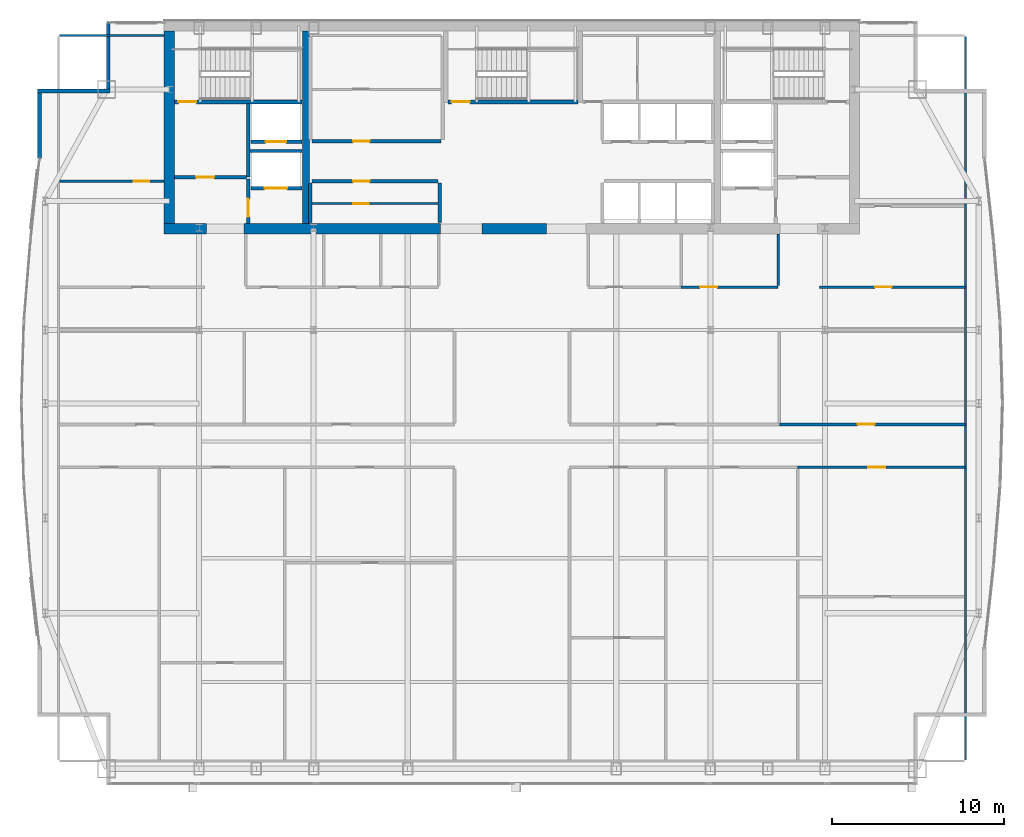
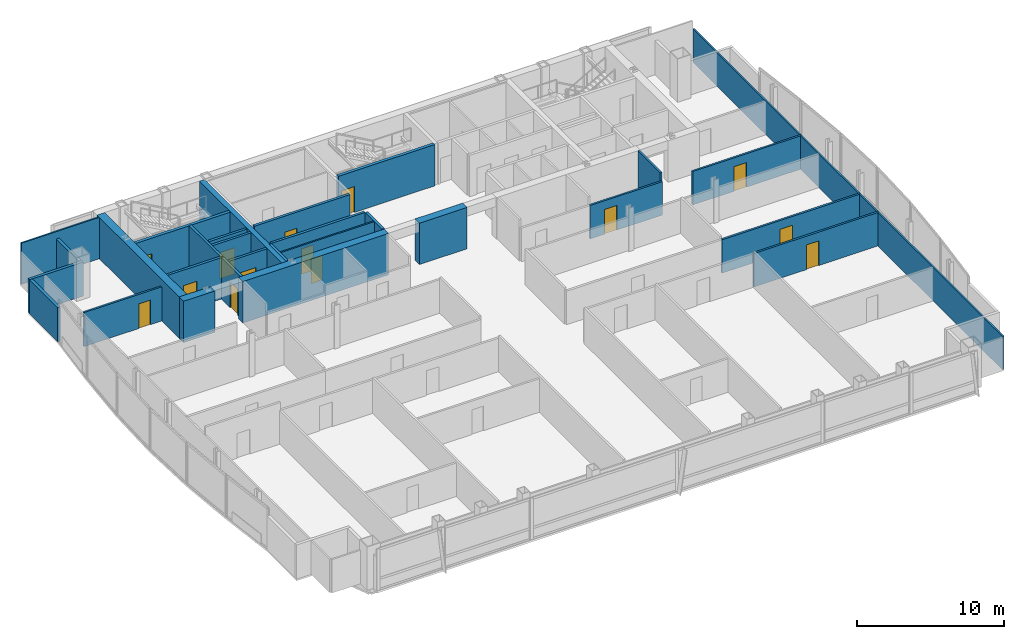
# One storey, part 25 of 29: 29 walls, 14 doors, 14 openings.
"""IFC4 building model written with IfcOpenShell, lengths in metres."""

from ifc_helpers import new_model, si_unit, direction, frame, frame_2d, origin, place, context, subcontext, project, spatial, rectangle, extrude, material, layer, layer_set, type_object, element, fill, save


model = new_model("IFC4")

# Units and contexts
model_context = context("Model", 3, precision=1e-05, world=origin(), true_north=direction((0.0, 1.0)))
body_context = subcontext(model_context, "Body", "Model", "MODEL_VIEW")
ifc_project = project(units=[si_unit("LENGTHUNIT", "METRE"), si_unit("AREAUNIT", "SQUARE_METRE"), si_unit("VOLUMEUNIT", "CUBIC_METRE"), si_unit("PLANEANGLEUNIT", "RADIAN"), si_unit("MASSUNIT", "GRAM", prefix="KILO")], contexts=[model_context])

# Site, building, storey
site_placement = place(None, origin())
site = spatial("IfcSite", under=ifc_project, at=site_placement, CompositionType="ELEMENT")
building_placement = place(site_placement, origin())
building = spatial("IfcBuilding", under=site, at=building_placement, Name="Khoronbel Lancet Exchange", CompositionType="ELEMENT")
storey_placement = place(building_placement, frame((0.0, 0.0, 242.60009765625)))
storey = spatial("IfcBuildingStorey", under=building, at=storey_placement, Name="L62", CompositionType="ELEMENT", Elevation=242.60009765625)

# Walls
ifc_material_1 = material(Name="Concrete C60/75", Category="concrete")
ifc_layer_1 = layer(ifc_material_1, 0.60009765625, Name="Concrete C60/75")
ifc_layer_set_1 = layer_set([ifc_layer_1], Name="Concrete C60/75")
wall_type_1 = type_object("IfcWallType", Name="WL-CW3", PredefinedType="SHEAR", material=ifc_layer_set_1)
wall_1_placement = place(storey_placement, frame((16.5, 41.89990234375, 0.0), z_axis=(0.0, 0.0, 1.0), x_axis=(0.0, 1.0, 0.0)))
element("IfcWall", 1, at=wall_1_placement, inside=storey, type_object=wall_type_1, Name="Level L62 rear core west shear wall", PredefinedType="SHEAR", context=body_context, shape_type="SweptSolid", body=[
    extrude(rectangle(XDim=11.2001953125, YDim=0.60009765625, at=frame_2d((5.60009765625, 0.0))), origin(), (0.0, 0.0, 1.0), 3.43994140625),
])
wall_2_placement = place(storey_placement, frame((18.64990234375, 41.60009765625, 0.0), z_axis=(0.0, 0.0, 1.0), x_axis=(-1.0, 0.0, 0.0)))
element("IfcWall", 2, at=wall_2_placement, inside=storey, type_object=wall_type_1, Name="Level L62 rear core south shear wall pier P1", PredefinedType="SHEAR", context=body_context, shape_type="SweptSolid", body=[
    extrude(rectangle(XDim=2.449951171875, YDim=0.60009765625, at=frame_2d((1.22509765625, 0.0))), origin(), (0.0, 0.0, 1.0), 3.43994140625),
])
wall_3_placement = place(storey_placement, frame((32.300048828125, 41.60009765625, 0.0), z_axis=(0.0, 0.0, 1.0), x_axis=(-1.0, 0.0, 0.0)))
element("IfcWall", 3, at=wall_3_placement, inside=storey, type_object=wall_type_1, Name="Level L62 rear core south shear wall pier P2", PredefinedType="SHEAR", context=body_context, shape_type="SweptSolid", body=[
    extrude(rectangle(XDim=11.449951171875, YDim=0.60009765625, at=frame_2d((5.72509765625, 0.0))), origin(), (0.0, 0.0, 1.0), 3.43994140625),
])
wall_4_placement = place(storey_placement, frame((38.449951171875, 41.60009765625, 0.0), z_axis=(0.0, 0.0, 1.0), x_axis=(-1.0, 0.0, 0.0)))
element("IfcWall", 4, at=wall_4_placement, inside=storey, type_object=wall_type_1, Name="Level L62 rear core south shear wall pier P3", PredefinedType="SHEAR", context=body_context, shape_type="SweptSolid", body=[
    extrude(rectangle(XDim=3.75, YDim=0.60009765625, at=frame_2d((1.875, 0.0))), origin(), (0.0, 0.0, 1.0), 3.43994140625),
])
ifc_material_2 = material(Name="Precast concrete C40/50", Category="concrete")
ifc_layer_2 = layer(ifc_material_2, 0.25, Name="Precast concrete C40/50")
ifc_layer_set_2 = layer_set([ifc_layer_2], Name="Precast concrete C40/50")
wall_type_2 = type_object("IfcWallType", Name="WL-EXT250", PredefinedType="SOLIDWALL", material=ifc_layer_set_2)
wall_5_placement = place(storey_placement, frame((8.93994140625, 45.675048828125, 0.0), z_axis=(0.0, 0.0, 1.0), x_axis=(0.0, 1.0, 0.0)))
element("IfcWall", 5, at=wall_5_placement, inside=storey, type_object=wall_type_2, Name="Level L62 notched-corner limestone pier 10", PredefinedType="SOLIDWALL", context=body_context, shape_type="SweptSolid", body=[
    extrude(rectangle(XDim=3.824951171875, YDim=0.219970703125, at=frame_2d((1.91259765625, 0.0))), origin(), (0.0, 0.0, 1.0), 2.829833984375),
])
wall_6_placement = place(storey_placement, frame((8.830078125, 49.610107421875, 0.0), z_axis=(0.0, 0.0, 1.0), x_axis=(1.0, 0.0, 0.0)))
element("IfcWall", 6, at=wall_6_placement, inside=storey, type_object=wall_type_2, Name="Level L62 notched-corner limestone pier 11", PredefinedType="SOLIDWALL", context=body_context, shape_type="SweptSolid", body=[
    extrude(rectangle(XDim=4.219970703125, YDim=0.219970703125, at=frame_2d((2.10986328125, 0.0))), origin(), (0.0, 0.0, 1.0), 2.829833984375),
])
wall_7_placement = place(storey_placement, frame((12.93994140625, 49.719970703125, 0.0), z_axis=(0.0, 0.0, 1.0), x_axis=(0.0, 1.0, 0.0)))
element("IfcWall", 7, at=wall_7_placement, inside=storey, type_object=wall_type_2, Name="Level L62 notched-corner limestone pier 12", PredefinedType="SOLIDWALL", context=body_context, shape_type="SweptSolid", body=[
    extrude(rectangle(XDim=3.909912109375, YDim=0.219970703125, at=frame_2d((1.955078125, 0.0))), origin(), (0.0, 0.0, 1.0), 2.829833984375),
])
ifc_material_3 = material(Name="Acoustic Metal-Stud & Mineral-Wool Gypsum Partition 120 mm", Category="gypsum")
ifc_layer_3 = layer(ifc_material_3, 0.1201171875, Name="Acoustic Metal-Stud & Mineral-Wool Gypsum Partition 120 mm")
ifc_layer_set_3 = layer_set([ifc_layer_3], Name="Acoustic Metal-Stud & Mineral-Wool Gypsum Partition 120 mm")
wall_type_3 = type_object("IfcWallType", Name="WL-PRT120", PredefinedType="PARTITIONING", material=ifc_layer_set_3)
wall_8_placement = place(storey_placement, frame((51.949951171875, 38.280029296875, 0.0), z_axis=(0.0, 0.0, 1.0), x_axis=(0.0, 1.0, 0.0)))
element("IfcWall", 8, at=wall_8_placement, inside=storey, type_object=wall_type_3, Name="Level L62 interior partition PW-NP-1", PredefinedType="PARTITIONING", context=body_context, shape_type="SweptSolid", body=[
    extrude(rectangle(XDim=3.02001953125, YDim=0.14990234375, at=frame_2d((1.510009765625, 0.0))), origin(), (0.0, 0.0, 1.0), 3.43994140625),
])

# Wall, opening, door
wall_9_placement = place(storey_placement, frame((10.094970703125, 44.35009765625, 0.0), z_axis=(0.0, 0.0, 1.0), x_axis=(1.0, 0.0, 0.0)))
wall_9 = element("IfcWall", 9, at=wall_9_placement, inside=storey, type_object=wall_type_3, Name="Level L62 interior partition PW-NW-H", PredefinedType="PARTITIONING", context=body_context, shape_type="SweptSolid", body=[
    extrude(rectangle(XDim=6.10498046875, YDim=0.14990234375, at=frame_2d((3.052490234375, 0.0))), origin(), (0.0, 0.0, 1.0), 2.829833984375),
])
opening_1_placement = place(wall_9_placement, frame((4.320068359375, 0.0, 0.0)))
opening_1 = element("IfcOpeningElement", 10, at=opening_1_placement, cuts=wall_9, Name="Opening D5", PredefinedType="OPENING", context=body_context, shape_type="SweptSolid", body=[
    extrude(rectangle(XDim=0.89990234375, YDim=2.050048828125, at=frame_2d((0.449951171875, 1.02490234375))), frame((0.0, 0.0849609375, 0.0), z_axis=(0.0, -1.0, 0.0), x_axis=(1.0, 0.0, 0.0)), (0.0, 0.0, 1.0), 0.169921875),
])
ifc_material_4 = material(Name="Acoustic Timber Pantry & Support Door", Category="wood")
door_type_1 = type_object("IfcDoorType", Name="DR-D5", OperationType="NOTDEFINED", PredefinedType="DOOR", material=ifc_material_4)
door_1_placement = place(opening_1_placement, origin())
door_1 = element("IfcDoor", 11, at=door_1_placement, inside=storey, type_object=door_type_1, Name="NW north room door L62-1", OperationType="SINGLE_SWING_RIGHT", OverallHeight=2.050048828125, OverallWidth=0.89990234375, PredefinedType="DOOR", context=body_context, shape_type="SweptSolid", body=[
    extrude(rectangle(XDim=0.89990234375, YDim=2.050048828125, at=frame_2d((0.449951171875, 1.02490234375))), frame((0.0, 0.02490234375, 0.0), z_axis=(0.0, -1.0, 0.0), x_axis=(1.0, 0.0, 0.0)), (0.0, 0.0, 1.0), 0.050048828125),
])
fill(opening_1, door_1)

# Walls
wall_10_placement = place(storey_placement, frame((62.8701171875, 10.6650390625, 0.0), z_axis=(0.0, 0.0, 1.0), x_axis=(0.0, 1.0, 0.0)))
element("IfcWall", 12, at=wall_10_placement, inside=storey, type_object=wall_type_3, Name="Level L62 interior partition PW-LIN-E", PredefinedType="PARTITIONING", context=body_context, shape_type="SweptSolid", body=[
    extrude(rectangle(XDim=42.10986328125, YDim=0.1201171875, at=frame_2d((21.054931640625, 0.0))), origin(), (0.0, 0.0, 1.0), 2.77978515625),
])
wall_11_placement = place(storey_placement, frame((10.094970703125, 52.840087890625, 0.0), z_axis=(0.0, 0.0, 1.0), x_axis=(1.0, 0.0, 0.0)))
element("IfcWall", 13, at=wall_11_placement, inside=storey, type_object=wall_type_3, Name="Level L62 interior partition PW-LIN-NW", PredefinedType="PARTITIONING", context=body_context, shape_type="SweptSolid", body=[
    extrude(rectangle(XDim=6.10498046875, YDim=0.1201171875, at=frame_2d((3.052490234375, 0.0))), origin(), (0.0, 0.0, 1.0), 3.43994140625),
])

# Wall, opening, door
ifc_material_5 = material(Name="Fire-Rated Metal-Stud & Mineral-Wool Gypsum Partition 120 mm", Category="gypsum")
ifc_layer_4 = layer(ifc_material_5, 0.1201171875, Name="Fire-Rated Metal-Stud & Mineral-Wool Gypsum Partition 120 mm")
ifc_layer_set_4 = layer_set([ifc_layer_4], Name="Fire-Rated Metal-Stud & Mineral-Wool Gypsum Partition 120 mm")
wall_type_4 = type_object("IfcWallType", Name="WL-PRT120F", PredefinedType="PARTITIONING", material=ifc_layer_set_4)
wall_12_placement = place(storey_placement, frame((24.804931640625, 43.053955078125, 0.0), z_axis=(0.0, 0.0, 1.0), x_axis=(1.0, 0.0, 0.0)))
wall_12 = element("IfcWall", 14, at=wall_12_placement, inside=storey, type_object=wall_type_4, Name="Level L62 interior partition CW-PM-RH", PredefinedType="PARTITIONING", context=body_context, shape_type="SweptSolid", body=[
    extrude(rectangle(XDim=7.340087890625, YDim=0.1201171875, at=frame_2d((3.669921875, 0.0))), origin(), (0.0, 0.0, 1.0), 3.43994140625),
])
opening_2_placement = place(wall_12_placement, frame((2.39990234375, 0.0, 0.0)))
opening_2 = element("IfcOpeningElement", 15, at=opening_2_placement, cuts=wall_12, Name="Opening FD4", PredefinedType="OPENING", context=body_context, shape_type="SweptSolid", body=[
    extrude(rectangle(XDim=0.89990234375, YDim=2.050048828125, at=frame_2d((0.449951171875, 1.02490234375))), frame((0.0, 0.070068359375, 0.0), z_axis=(0.0, -1.0, 0.0), x_axis=(1.0, 0.0, 0.0)), (0.0, 0.0, 1.0), 0.14013671875),
])
ifc_material_6 = material(Name="Fire-Rated Steel Core Support Door Assembly", Category="steel")
door_type_2 = type_object("IfcDoorType", Name="DR-FD4", OperationType="NOTDEFINED", PredefinedType="DOOR", material=ifc_material_6)
door_2_placement = place(opening_2_placement, origin())
door_2 = element("IfcDoor", 16, at=door_2_placement, inside=storey, type_object=door_type_2, Name="Core PM inner store door L62-1", OperationType="SINGLE_SWING_LEFT", OverallHeight=2.050048828125, OverallWidth=0.89990234375, PredefinedType="DOOR", context=body_context, shape_type="SweptSolid", body=[
    extrude(rectangle(XDim=0.89990234375, YDim=2.050048828125, at=frame_2d((0.449951171875, 1.02490234375))), frame((0.0, 0.02490234375, 0.0), z_axis=(0.0, -1.0, 0.0), x_axis=(1.0, 0.0, 0.0)), (0.0, 0.0, 1.0), 0.050048828125),
])
fill(opening_2, door_2)

ifc_material_7 = material(Name="Fire-Rated Twin-Stud Acoustic Gypsum Partition 150 mm", Category="gypsum")
ifc_layer_5 = layer(ifc_material_7, 0.14990234375, Name="Fire-Rated Twin-Stud Acoustic Gypsum Partition 150 mm")
ifc_layer_set_5 = layer_set([ifc_layer_5], Name="Fire-Rated Twin-Stud Acoustic Gypsum Partition 150 mm")
wall_type_5 = type_object("IfcWallType", Name="WL-PRT150C", PredefinedType="PARTITIONING", material=ifc_layer_set_5)
wall_13_placement = place(storey_placement, frame((46.300048828125, 38.199951171875, 0.0), z_axis=(0.0, 0.0, 1.0), x_axis=(1.0, 0.0, 0.0)))
wall_13 = element("IfcWall", 17, at=wall_13_placement, inside=storey, type_object=wall_type_5, Name="Level L62 interior partition PW-NP-S2", PredefinedType="PARTITIONING", context=body_context, shape_type="SweptSolid", body=[
    extrude(rectangle(XDim=5.64990234375, YDim=0.14990234375, at=frame_2d((2.824951171875, 0.0))), origin(), (0.0, 0.0, 1.0), 2.77978515625),
])
opening_3_placement = place(wall_13_placement, frame((1.10009765625, 0.0, 0.0)))
opening_3 = element("IfcOpeningElement", 18, at=opening_3_placement, cuts=wall_13, Name="Opening D2", PredefinedType="OPENING", context=body_context, shape_type="SweptSolid", body=[
    extrude(rectangle(XDim=1.0, YDim=2.050048828125, at=frame_2d((0.5, 1.02490234375))), frame((0.0, 0.0849609375, 0.0), z_axis=(0.0, -1.0, 0.0), x_axis=(1.0, 0.0, 0.0)), (0.0, 0.0, 1.0), 0.169921875),
])
ifc_material_8 = material(Name="Acoustic Veneered Timber & Bronze Frame Door", Category="wood")
door_type_3 = type_object("IfcDoorType", Name="DR-D2", OperationType="NOTDEFINED", PredefinedType="DOOR", material=ifc_material_8)
door_3_placement = place(opening_3_placement, origin())
door_3 = element("IfcDoor", 19, at=door_3_placement, inside=storey, type_object=door_type_3, Name="Floor store door L62-1", OperationType="SINGLE_SWING_LEFT", OverallHeight=2.050048828125, OverallWidth=1.0, PredefinedType="DOOR", context=body_context, shape_type="SweptSolid", body=[
    extrude(rectangle(XDim=1.0, YDim=2.050048828125, at=frame_2d((0.5, 1.02490234375))), frame((0.0, 0.02490234375, 0.0), z_axis=(0.0, -1.0, 0.0), x_axis=(1.0, 0.0, 0.0)), (0.0, 0.0, 1.0), 0.050048828125),
])
fill(opening_3, door_3)

wall_14_placement = place(storey_placement, frame((54.35009765625, 38.199951171875, 0.0), z_axis=(0.0, 0.0, 1.0), x_axis=(1.0, 0.0, 0.0)))
wall_14 = element("IfcWall", 20, at=wall_14_placement, inside=storey, type_object=wall_type_5, Name="Level L62 interior partition PW-NE-S", PredefinedType="PARTITIONING", context=body_context, shape_type="SweptSolid", body=[
    extrude(rectangle(XDim=8.52001953125, YDim=0.14990234375, at=frame_2d((4.260009765625, 0.0))), origin(), (0.0, 0.0, 1.0), 2.77978515625),
])
opening_4_placement = place(wall_14_placement, frame((3.25, 0.0, 0.0)))
opening_4 = element("IfcOpeningElement", 21, at=opening_4_placement, cuts=wall_14, Name="Opening D1", PredefinedType="OPENING", context=body_context, shape_type="SweptSolid", body=[
    extrude(rectangle(XDim=0.949951171875, YDim=2.050048828125, at=frame_2d((0.47509765625, 1.02490234375))), frame((0.0, 0.0849609375, 0.0), z_axis=(0.0, -1.0, 0.0), x_axis=(1.0, 0.0, 0.0)), (0.0, 0.0, 1.0), 0.169921875),
])
door_type_4 = type_object("IfcDoorType", Name="DR-D1", OperationType="NOTDEFINED", PredefinedType="DOOR", material=ifc_material_8)
door_4_placement = place(opening_4_placement, origin())
door_4 = element("IfcDoor", 22, at=door_4_placement, inside=storey, type_object=door_type_4, Name="NE corner room door L62-1", OperationType="SINGLE_SWING_LEFT", OverallHeight=2.050048828125, OverallWidth=0.949951171875, PredefinedType="DOOR", context=body_context, shape_type="SweptSolid", body=[
    extrude(rectangle(XDim=0.949951171875, YDim=2.050048828125, at=frame_2d((0.47509765625, 1.02490234375))), frame((0.0, 0.02490234375, 0.0), z_axis=(0.0, -1.0, 0.0), x_axis=(1.0, 0.0, 0.0)), (0.0, 0.0, 1.0), 0.050048828125),
])
fill(opening_4, door_4)

ifc_material_9 = material(Name="Fire-Rated Twin-Stud Acoustic Gypsum Partition 160 mm", Category="gypsum")
ifc_layer_6 = layer(ifc_material_9, 0.159912109375, Name="Fire-Rated Twin-Stud Acoustic Gypsum Partition 160 mm")
ifc_layer_set_6 = layer_set([ifc_layer_6], Name="Fire-Rated Twin-Stud Acoustic Gypsum Partition 160 mm")
wall_type_6 = type_object("IfcWallType", Name="WL-PRT160C", PredefinedType="PARTITIONING", material=ifc_layer_set_6)
wall_15_placement = place(storey_placement, frame((53.082763671875, 27.699951171875, 0.0), z_axis=(0.0, 0.0, 1.0), x_axis=(1.0, 0.0, 0.0)))
wall_15 = element("IfcWall", 23, at=wall_15_placement, inside=storey, type_object=wall_type_6, Name="Level L62 interior partition PW-Z3SE-COR3", PredefinedType="PARTITIONING", context=body_context, shape_type="SweptSolid", body=[
    extrude(rectangle(XDim=9.787353515625, YDim=0.159912109375, at=frame_2d((4.8935546875, 0.0))), origin(), (0.0, 0.0, 1.0), 2.77978515625),
])
opening_5_placement = place(wall_15_placement, frame((4.110595703125, 0.0, 0.0)))
opening_5 = element("IfcOpeningElement", 24, at=opening_5_placement, cuts=wall_15, Name="Opening D2", PredefinedType="OPENING", context=body_context, shape_type="SweptSolid", body=[
    extrude(rectangle(XDim=1.0, YDim=2.050048828125, at=frame_2d((0.5, 1.02490234375))), frame((0.0, 0.08984375, 0.0), z_axis=(0.0, -1.0, 0.0), x_axis=(1.0, 0.0, 0.0)), (0.0, 0.0, 1.0), 0.179931640625),
])
door_5_placement = place(opening_5_placement, origin())
door_5 = element("IfcDoor", 25, at=door_5_placement, inside=storey, type_object=door_type_3, Name="Z3SE bay 3 door L62-1", OperationType="SINGLE_SWING_RIGHT", OverallHeight=2.050048828125, OverallWidth=1.0, PredefinedType="DOOR", context=body_context, shape_type="SweptSolid", body=[
    extrude(rectangle(XDim=1.0, YDim=2.050048828125, at=frame_2d((0.5, 1.02490234375))), frame((0.0, 0.02490234375, 0.0), z_axis=(0.0, -1.0, 0.0), x_axis=(1.0, 0.0, 0.0)), (0.0, 0.0, 1.0), 0.050048828125),
])
fill(opening_5, door_5)

wall_16_placement = place(storey_placement, frame((52.013427734375, 30.199951171875, 0.0), z_axis=(0.0, 0.0, 1.0), x_axis=(1.0, 0.0, 0.0)))
wall_16 = element("IfcWall", 26, at=wall_16_placement, inside=storey, type_object=wall_type_6, Name="Level L62 interior partition PW-Z3NE-COR2", PredefinedType="PARTITIONING", context=body_context, shape_type="SweptSolid", body=[
    extrude(rectangle(XDim=10.856689453125, YDim=0.159912109375, at=frame_2d((5.42822265625, 0.0))), origin(), (0.0, 0.0, 1.0), 2.77978515625),
])
opening_6_placement = place(wall_16_placement, frame((4.559814453125, 0.0, 0.0)))
opening_6 = element("IfcOpeningElement", 27, at=opening_6_placement, cuts=wall_16, Name="Opening D2", PredefinedType="OPENING", context=body_context, shape_type="SweptSolid", body=[
    extrude(rectangle(XDim=1.0, YDim=2.050048828125, at=frame_2d((0.5, 1.02490234375))), frame((0.0, 0.08984375, 0.0), z_axis=(0.0, -1.0, 0.0), x_axis=(1.0, 0.0, 0.0)), (0.0, 0.0, 1.0), 0.179931640625),
])
door_6_placement = place(opening_6_placement, origin())
door_6 = element("IfcDoor", 28, at=door_6_placement, inside=storey, type_object=door_type_3, Name="Z3NE bay 2 door L62-1", OperationType="SINGLE_SWING_LEFT", OverallHeight=2.050048828125, OverallWidth=1.0, PredefinedType="DOOR", context=body_context, shape_type="SweptSolid", body=[
    extrude(rectangle(XDim=1.0, YDim=2.050048828125, at=frame_2d((0.5, 1.02490234375))), frame((0.0, 0.02490234375, 0.0), z_axis=(0.0, -1.0, 0.0), x_axis=(1.0, 0.0, 0.0)), (0.0, 0.0, 1.0), 0.050048828125),
])
fill(opening_6, door_6)

ifc_material_10 = material(Name="Autoclaved Aerated Concrete Blockwork 200 mm", Category="masonry")
ifc_layer_7 = layer(ifc_material_10, 0.199951171875, Name="Autoclaved Aerated Concrete Blockwork 200 mm")
ifc_layer_set_7 = layer_set([ifc_layer_7], Name="Autoclaved Aerated Concrete Blockwork 200 mm")
wall_type_7 = type_object("IfcWallType", Name="WL-PRT200", PredefinedType="PARTITIONING", material=ifc_layer_set_7)
wall_17_placement = place(storey_placement, frame((24.2099609375, 43.949951171875, 0.0), z_axis=(0.0, 0.0, 1.0), x_axis=(-1.0, 0.0, 0.0)))
wall_17 = element("IfcWall", 29, at=wall_17_placement, inside=storey, type_object=wall_type_7, Name="Level L62 elevator hoistway landing front wall SVLW", PredefinedType="PARTITIONING", context=body_context, shape_type="SweptSolid", body=[
    extrude(rectangle(XDim=2.969970703125, YDim=0.199951171875, at=frame_2d((1.48486328125, 0.0))), origin(), (0.0, 0.0, 1.0), 3.43994140625),
])
opening_7_placement = place(wall_17_placement, frame((0.860107421875, 0.0, 0.0)))
opening_7 = element("IfcOpeningElement", 30, at=opening_7_placement, cuts=wall_17, Name="Opening LD-SVL1", PredefinedType="OPENING", context=body_context, shape_type="SweptSolid", body=[
    extrude(rectangle(XDim=1.300048828125, YDim=2.179931640625, at=frame_2d((0.64990234375, 1.08984375))), frame((0.0, 0.10986328125, 0.0), z_axis=(0.0, -1.0, 0.0), x_axis=(1.0, 0.0, 0.0)), (0.0, 0.0, 1.0), 0.219970703125),
])
ifc_material_11 = material(Name="Heavy-Duty Bi-Parting Goods Lift Landing Door", Category="steel")
door_type_5 = type_object("IfcDoorType", Name="DR-LD-SVL", OperationType="NOTDEFINED", PredefinedType="DOOR", material=ifc_material_11)
door_7_placement = place(opening_7_placement, origin())
door_7 = element("IfcDoor", 31, at=door_7_placement, inside=storey, type_object=door_type_5, Name="Elevator landing sliding door LD-SVL1 L62", OperationType="SLIDING_TO_LEFT", OverallHeight=2.179931640625, OverallWidth=1.300048828125, PredefinedType="DOOR", context=body_context, shape_type="SweptSolid", body=[
    extrude(rectangle(XDim=1.300048828125, YDim=2.179931640625, at=frame_2d((0.64990234375, 1.08984375))), frame((0.0, 0.02490234375, 0.0), z_axis=(0.0, -1.0, 0.0), x_axis=(1.0, 0.0, 0.0)), (0.0, 0.0, 1.0), 0.050048828125),
])
fill(opening_7, door_7)

wall_18_placement = place(storey_placement, frame((24.2099609375, 46.64990234375, 0.0), z_axis=(0.0, 0.0, 1.0), x_axis=(-1.0, 0.0, 0.0)))
wall_18 = element("IfcWall", 32, at=wall_18_placement, inside=storey, type_object=wall_type_7, Name="Level L62 elevator hoistway landing front wall FFLW", PredefinedType="PARTITIONING", context=body_context, shape_type="SweptSolid", body=[
    extrude(rectangle(XDim=2.969970703125, YDim=0.199951171875, at=frame_2d((1.48486328125, 0.0))), origin(), (0.0, 0.0, 1.0), 3.43994140625),
])
opening_8_placement = place(wall_18_placement, frame((0.909912109375, 0.0, 0.0)))
opening_8 = element("IfcOpeningElement", 33, at=opening_8_placement, cuts=wall_18, Name="Opening LD-FFL1", PredefinedType="OPENING", context=body_context, shape_type="SweptSolid", body=[
    extrude(rectangle(XDim=1.199951171875, YDim=2.179931640625, at=frame_2d((0.60009765625, 1.08984375))), frame((0.0, 0.10986328125, 0.0), z_axis=(0.0, -1.0, 0.0), x_axis=(1.0, 0.0, 0.0)), (0.0, 0.0, 1.0), 0.219970703125),
])
ifc_material_12 = material(Name="Fire-Rated Stainless Bi-Parting Firefighting Lift Door", Category="steel")
door_type_6 = type_object("IfcDoorType", Name="DR-LD-FFL", OperationType="NOTDEFINED", PredefinedType="DOOR", material=ifc_material_12)
door_8_placement = place(opening_8_placement, origin())
door_8 = element("IfcDoor", 34, at=door_8_placement, inside=storey, type_object=door_type_6, Name="Elevator landing sliding door LD-FFL1 L62", OperationType="SLIDING_TO_LEFT", OverallHeight=2.179931640625, OverallWidth=1.199951171875, PredefinedType="DOOR", context=body_context, shape_type="SweptSolid", body=[
    extrude(rectangle(XDim=1.199951171875, YDim=2.179931640625, at=frame_2d((0.60009765625, 1.08984375))), frame((0.0, 0.02490234375, 0.0), z_axis=(0.0, -1.0, 0.0), x_axis=(1.0, 0.0, 0.0)), (0.0, 0.0, 1.0), 0.050048828125),
])
fill(opening_8, door_8)

# Wall
wall_19_placement = place(storey_placement, frame((21.10009765625, 44.60009765625, 0.0), z_axis=(0.0, 0.0, 1.0), x_axis=(0.0, 1.0, 0.0)))
element("IfcWall", 35, at=wall_19_placement, inside=storey, type_object=wall_type_7, Name="Level L62 interior partition CW-FFLW-E", PredefinedType="PARTITIONING", context=body_context, shape_type="SweptSolid", body=[
    extrude(rectangle(XDim=4.2998046875, YDim=0.199951171875, at=frame_2d((2.14990234375, 0.0))), origin(), (0.0, 0.0, 1.0), 3.43994140625),
])

# Wall, opening, door
wall_20_placement = place(storey_placement, frame((16.800048828125, 44.60009765625, 0.0), z_axis=(0.0, 0.0, 1.0), x_axis=(1.0, 0.0, 0.0)))
wall_20 = element("IfcWall", 36, at=wall_20_placement, inside=storey, type_object=wall_type_7, Name="Level L62 interior partition CW-FFLW-S", PredefinedType="PARTITIONING", context=body_context, shape_type="SweptSolid", body=[
    extrude(rectangle(XDim=4.199951171875, YDim=0.199951171875, at=frame_2d((2.10009765625, 0.0))), origin(), (0.0, 0.0, 1.0), 3.43994140625),
])
opening_9_placement = place(wall_20_placement, frame((1.25, 0.0, 0.0)))
opening_9 = element("IfcOpeningElement", 37, at=opening_9_placement, cuts=wall_20, Name="Opening FD1", PredefinedType="OPENING", context=body_context, shape_type="SweptSolid", body=[
    extrude(rectangle(XDim=1.050048828125, YDim=2.14990234375, at=frame_2d((0.52490234375, 1.074951171875))), frame((0.0, 0.10986328125, 0.0), z_axis=(0.0, -1.0, 0.0), x_axis=(1.0, 0.0, 0.0)), (0.0, 0.0, 1.0), 0.219970703125),
])
ifc_material_13 = material(Name="Fire-Rated Painted Steel Door Assembly", Category="steel")
door_type_7 = type_object("IfcDoorType", Name="DR-FD1", OperationType="NOTDEFINED", PredefinedType="DOOR", material=ifc_material_13)
door_9_placement = place(opening_9_placement, origin())
door_9 = element("IfcDoor", 38, at=door_9_placement, inside=storey, type_object=door_type_7, Name="West firefighting lobby FD90S door L62-1", OperationType="SINGLE_SWING_LEFT", OverallHeight=2.14990234375, OverallWidth=1.050048828125, PredefinedType="DOOR", context=body_context, shape_type="SweptSolid", body=[
    extrude(rectangle(XDim=1.050048828125, YDim=2.14990234375, at=frame_2d((0.52490234375, 1.074951171875))), frame((0.0, 0.02490234375, 0.0), z_axis=(0.0, -1.0, 0.0), x_axis=(1.0, 0.0, 0.0)), (0.0, 0.0, 1.0), 0.050048828125),
])
fill(opening_9, door_9)

# Wall
wall_21_placement = place(storey_placement, frame((21.199951171875, 46.1201171875, 0.0), z_axis=(0.0, 0.0, 1.0), x_axis=(1.0, 0.0, 0.0)))
element("IfcWall", 39, at=wall_21_placement, inside=storey, type_object=wall_type_7, Name="Level L62 interior partition CW-FFL1-S", PredefinedType="PARTITIONING", context=body_context, shape_type="SweptSolid", body=[
    extrude(rectangle(XDim=3.02001953125, YDim=0.199951171875, at=frame_2d((1.510009765625, 0.0))), origin(), (0.0, 0.0, 1.0), 3.43994140625),
])

# Wall, opening, door
wall_22_placement = place(storey_placement, frame((21.10009765625, 41.89990234375, 0.0), z_axis=(0.0, 0.0, 1.0), x_axis=(0.0, 1.0, 0.0)))
wall_22 = element("IfcWall", 40, at=wall_22_placement, inside=storey, type_object=wall_type_7, Name="Level L62 interior partition CW-SVLW-W", PredefinedType="PARTITIONING", context=body_context, shape_type="SweptSolid", body=[
    extrude(rectangle(XDim=2.59521484375, YDim=0.199951171875, at=frame_2d((1.297607421875, 0.0))), origin(), (0.0, 0.0, 1.0), 3.43994140625),
])
opening_10_placement = place(wall_22_placement, frame((0.3798828125, 0.0, 0.0)))
opening_10 = element("IfcOpeningElement", 41, at=opening_10_placement, cuts=wall_22, Name="Opening FD1", PredefinedType="OPENING", context=body_context, shape_type="SweptSolid", body=[
    extrude(rectangle(XDim=1.050048828125, YDim=2.14990234375, at=frame_2d((0.52490234375, 1.074951171875))), frame((0.0, 0.10986328125, 0.0), z_axis=(0.0, -1.0, 0.0), x_axis=(1.0, 0.0, 0.0)), (0.0, 0.0, 1.0), 0.219970703125),
])
door_10_placement = place(opening_10_placement, origin())
door_10 = element("IfcDoor", 42, at=door_10_placement, inside=storey, type_object=door_type_7, Name="West service lift lobby door L62-1", OperationType="SINGLE_SWING_RIGHT", OverallHeight=2.14990234375, OverallWidth=1.050048828125, PredefinedType="DOOR", context=body_context, shape_type="SweptSolid", body=[
    extrude(rectangle(XDim=1.050048828125, YDim=2.14990234375, at=frame_2d((0.52490234375, 1.074951171875))), frame((0.0, 0.02490234375, 0.0), z_axis=(0.0, -1.0, 0.0), x_axis=(1.0, 0.0, 0.0)), (0.0, 0.0, 1.0), 0.050048828125),
])
fill(opening_10, door_10)

wall_23_placement = place(storey_placement, frame((24.804931640625, 46.699951171875, 0.0), z_axis=(0.0, 0.0, 1.0), x_axis=(1.0, 0.0, 0.0)))
wall_23 = element("IfcWall", 43, at=wall_23_placement, inside=storey, type_object=wall_type_7, Name="Level L62 interior partition CW-PL-RF", PredefinedType="PARTITIONING", context=body_context, shape_type="SweptSolid", body=[
    extrude(rectangle(XDim=7.510009765625, YDim=0.199951171875, at=frame_2d((3.7548828125, 0.0))), origin(), (0.0, 0.0, 1.0), 3.43994140625),
])
opening_11_placement = place(wall_23_placement, frame((2.39990234375, 0.0, 0.0)))
opening_11 = element("IfcOpeningElement", 44, at=opening_11_placement, cuts=wall_23, Name="Opening FD3", PredefinedType="OPENING", context=body_context, shape_type="SweptSolid", body=[
    extrude(rectangle(XDim=0.949951171875, YDim=2.10009765625, at=frame_2d((0.47509765625, 1.050048828125))), frame((0.0, 0.10986328125, 0.0), z_axis=(0.0, -1.0, 0.0), x_axis=(1.0, 0.0, 0.0)), (0.0, 0.0, 1.0), 0.219970703125),
])
ifc_material_14 = material(Name="Fire-Rated Steel Plant & Riser Door Assembly", Category="steel")
door_type_8 = type_object("IfcDoorType", Name="DR-FD3", OperationType="NOTDEFINED", PredefinedType="DOOR", material=ifc_material_14)
door_11_placement = place(opening_11_placement, origin())
door_11 = element("IfcDoor", 45, at=door_11_placement, inside=storey, type_object=door_type_8, Name="Core PL merged gallery room door L62-1", OperationType="SINGLE_SWING_RIGHT", OverallHeight=2.10009765625, OverallWidth=0.949951171875, PredefinedType="DOOR", context=body_context, shape_type="SweptSolid", body=[
    extrude(rectangle(XDim=0.949951171875, YDim=2.10009765625, at=frame_2d((0.47509765625, 1.050048828125))), frame((0.0, 0.02490234375, 0.0), z_axis=(0.0, -1.0, 0.0), x_axis=(1.0, 0.0, 0.0)), (0.0, 0.0, 1.0), 0.050048828125),
])
fill(opening_11, door_11)

# Walls
for number, where, z_axis, x_axis, name in (
    (46, (24.699951171875, 41.949951171875, 0.0), (0.0, 0.0, 1.0), (0.0, 1.0, 0.0), "Level L62 interior partition CW-PM-RW"),
    (47, (32.25, 41.949951171875, 0.0), (0.0, 0.0, 1.0), (0.0, 1.0, 0.0), "Level L62 interior partition CW-PM-RE"),
):
    element("IfcWall", number, at=place(storey_placement, frame(where, z_axis=z_axis, x_axis=x_axis)), inside=storey, type_object=wall_type_7, Name=name, PredefinedType="PARTITIONING", context=body_context, shape_type="SweptSolid", body=[
        extrude(rectangle(XDim=2.295166015625, YDim=0.199951171875, at=frame_2d((1.1474609375, 0.0))), origin(), (0.0, 0.0, 1.0), 3.43994140625),
    ])

# Wall, opening, door
wall_24_placement = place(storey_placement, frame((24.804931640625, 44.35009765625, 0.0), z_axis=(0.0, 0.0, 1.0), x_axis=(1.0, 0.0, 0.0)))
wall_24 = element("IfcWall", 48, at=wall_24_placement, inside=storey, type_object=wall_type_7, Name="Level L62 interior partition CW-PM-RF", PredefinedType="PARTITIONING", context=body_context, shape_type="SweptSolid", body=[
    extrude(rectangle(XDim=7.340087890625, YDim=0.199951171875, at=frame_2d((3.669921875, 0.0))), origin(), (0.0, 0.0, 1.0), 3.43994140625),
])
opening_12_placement = place(wall_24_placement, frame((2.39990234375, 0.0, 0.0)))
opening_12 = element("IfcOpeningElement", 49, at=opening_12_placement, cuts=wall_24, Name="Opening FD3", PredefinedType="OPENING", context=body_context, shape_type="SweptSolid", body=[
    extrude(rectangle(XDim=0.949951171875, YDim=2.10009765625, at=frame_2d((0.47509765625, 1.050048828125))), frame((0.0, 0.10986328125, 0.0), z_axis=(0.0, -1.0, 0.0), x_axis=(1.0, 0.0, 0.0)), (0.0, 0.0, 1.0), 0.219970703125),
])
door_12_placement = place(opening_12_placement, origin())
door_12 = element("IfcDoor", 50, at=door_12_placement, inside=storey, type_object=door_type_8, Name="Core PM merged gallery room door L62-1", OperationType="SINGLE_SWING_RIGHT", OverallHeight=2.10009765625, OverallWidth=0.949951171875, PredefinedType="DOOR", context=body_context, shape_type="SweptSolid", body=[
    extrude(rectangle(XDim=0.949951171875, YDim=2.10009765625, at=frame_2d((0.47509765625, 1.050048828125))), frame((0.0, 0.02490234375, 0.0), z_axis=(0.0, -1.0, 0.0), x_axis=(1.0, 0.0, 0.0)), (0.0, 0.0, 1.0), 0.050048828125),
])
fill(opening_12, door_12)

# Wall
ifc_layer_8 = layer(ifc_material_1, 0.39990234375, Name="Concrete C60/75")
ifc_layer_set_8 = layer_set([ifc_layer_8], Name="Concrete C60/75")
wall_type_8 = type_object("IfcWallType", Name="WL-SW2", PredefinedType="SHEAR", material=ifc_layer_set_8)
wall_25_placement = place(storey_placement, frame((24.449951171875, 41.89990234375, 0.0), z_axis=(0.0, 0.0, 1.0), x_axis=(0.0, 1.0, 0.0)))
element("IfcWall", 51, at=wall_25_placement, inside=storey, type_object=wall_type_8, Name="Level L62 rear core internal spine shear wall IW", PredefinedType="SHEAR", context=body_context, shape_type="SweptSolid", body=[
    extrude(rectangle(XDim=11.2001953125, YDim=0.39990234375, at=frame_2d((5.60009765625, 0.0))), origin(), (0.0, 0.0, 1.0), 3.43994140625),
])

# Wall, opening, door
ifc_layer_9 = layer(ifc_material_1, 0.260009765625, Name="Concrete C60/75")
ifc_layer_set_9 = layer_set([ifc_layer_9], Name="Concrete C60/75")
wall_type_9 = type_object("IfcWallType", Name="WL-SW3", PredefinedType="SHEAR", material=ifc_layer_set_9)
wall_26_placement = place(storey_placement, frame((16.800048828125, 48.97998046875, 0.0), z_axis=(0.0, 0.0, 1.0), x_axis=(1.0, 0.0, 0.0)))
wall_26 = element("IfcWall", 52, at=wall_26_placement, inside=storey, type_object=wall_type_9, Name="Level L62 west stairwell structural south wall", PredefinedType="SHEAR", context=body_context, shape_type="SweptSolid", body=[
    extrude(rectangle(XDim=7.419921875, YDim=0.239990234375, at=frame_2d((3.7099609375, 0.0))), origin(), (0.0, 0.0, 1.0), 3.43994140625),
])
opening_13_placement = place(wall_26_placement, frame((0.219970703125, 0.0, 0.0)))
opening_13 = element("IfcOpeningElement", 53, at=opening_13_placement, cuts=wall_26, Name="Opening SD1", PredefinedType="OPENING", context=body_context, shape_type="SweptSolid", body=[
    extrude(rectangle(XDim=1.050048828125, YDim=2.14990234375, at=frame_2d((0.52490234375, 1.074951171875))), frame((0.0, 0.1298828125, 0.0), z_axis=(0.0, -1.0, 0.0), x_axis=(1.0, 0.0, 0.0)), (0.0, 0.0, 1.0), 0.260009765625),
])
ifc_material_15 = material(Name="Fire-Rated Steel Stairwell Door Assembly", Category="steel")
door_type_9 = type_object("IfcDoorType", Name="DR-SD1", OperationType="NOTDEFINED", PredefinedType="DOOR", material=ifc_material_15)
door_13_placement = place(opening_13_placement, origin())
door_13 = element("IfcDoor", 54, at=door_13_placement, inside=storey, type_object=door_type_9, Name="Protected exit stair ST1 door L62", OperationType="SINGLE_SWING_LEFT", OverallHeight=2.14990234375, OverallWidth=1.050048828125, PredefinedType="DOOR", context=body_context, shape_type="SweptSolid", body=[
    extrude(rectangle(XDim=1.050048828125, YDim=2.14990234375, at=frame_2d((0.52490234375, 1.074951171875))), frame((0.0, 0.02490234375, 0.0), z_axis=(0.0, -1.0, 0.0), x_axis=(1.0, 0.0, 0.0)), (0.0, 0.0, 1.0), 0.050048828125),
])
fill(opening_13, door_13)

wall_27_placement = place(storey_placement, frame((32.719970703125, 48.97998046875, 0.0), z_axis=(0.0, 0.0, 1.0), x_axis=(1.0, 0.0, 0.0)))
wall_27 = element("IfcWall", 55, at=wall_27_placement, inside=storey, type_object=wall_type_9, Name="Level L62 central stairwell structural south wall", PredefinedType="SHEAR", context=body_context, shape_type="SweptSolid", body=[
    extrude(rectangle(XDim=7.56005859375, YDim=0.239990234375, at=frame_2d((3.780029296875, 0.0))), origin(), (0.0, 0.0, 1.0), 3.43994140625),
])
opening_14_placement = place(wall_27_placement, frame((0.219970703125, 0.0, 0.0)))
opening_14 = element("IfcOpeningElement", 56, at=opening_14_placement, cuts=wall_27, Name="Opening SD1", PredefinedType="OPENING", context=body_context, shape_type="SweptSolid", body=[
    extrude(rectangle(XDim=1.050048828125, YDim=2.14990234375, at=frame_2d((0.52490234375, 1.074951171875))), frame((0.0, 0.1298828125, 0.0), z_axis=(0.0, -1.0, 0.0), x_axis=(1.0, 0.0, 0.0)), (0.0, 0.0, 1.0), 0.260009765625),
])
door_14_placement = place(opening_14_placement, origin())
door_14 = element("IfcDoor", 57, at=door_14_placement, inside=storey, type_object=door_type_9, Name="Protected exit stair ST3 door L62", OperationType="SINGLE_SWING_LEFT", OverallHeight=2.14990234375, OverallWidth=1.050048828125, PredefinedType="DOOR", context=body_context, shape_type="SweptSolid", body=[
    extrude(rectangle(XDim=1.050048828125, YDim=2.14990234375, at=frame_2d((0.52490234375, 1.074951171875))), frame((0.0, 0.02490234375, 0.0), z_axis=(0.0, -1.0, 0.0), x_axis=(1.0, 0.0, 0.0)), (0.0, 0.0, 1.0), 0.050048828125),
])
fill(opening_14, door_14)

save(model, "model.ifc")
